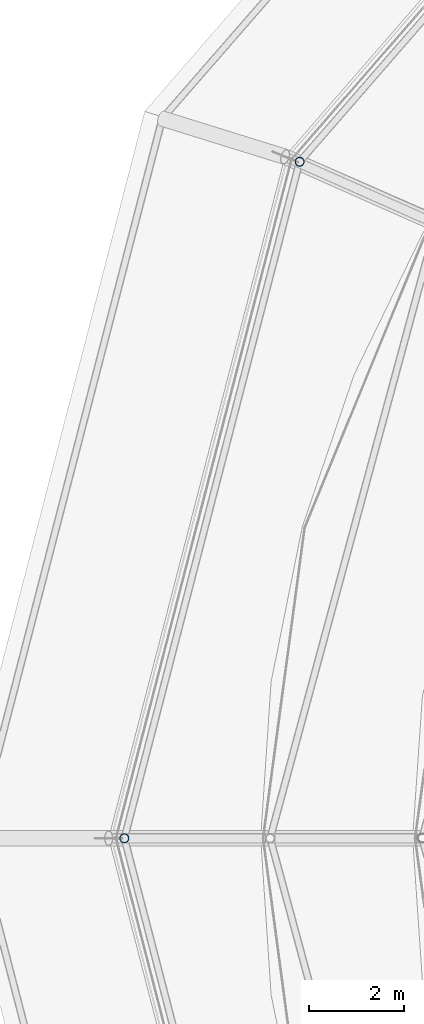
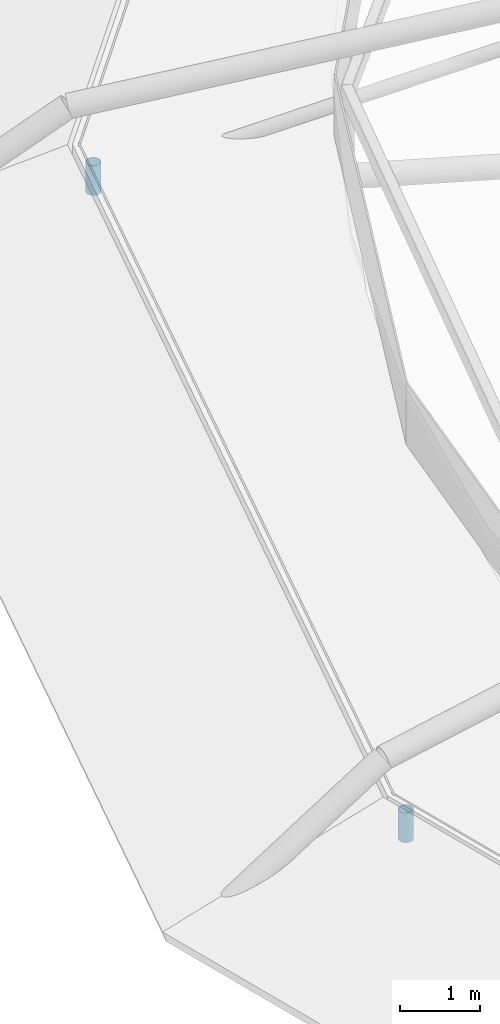
# One storey, part 96 of 134: 2 members.
"""IFC4 building model written with IfcOpenShell, lengths in metres."""

import ifcopenshell
import ifcopenshell.guid

model = None  # the IFC model being written
_history = None  # IfcOwnerHistory: only IFC2X3 demands one
_inside = {}  # id of a spatial element -> (the spatial element, [elements in it])
_under = {}  # id of a project, library or spatial element -> (it, [spatial elements below it])
_declared = {}  # id of a project -> (the project, [libraries it declares])
_typed = {}  # id of a type object -> (the type object, [elements of that type])
_made_of = {}  # id of a material, layer set ... -> (it, [elements and type objects made of it])


def new_model(schema):
    """Start an empty IFC model of exactly this schema.

    Asked for "IFC4X3", IfcOpenShell would pick the latest addendum, in which some entities
    have other attributes; the version numbers below select the first issue.
    IFC2X3 requires an IfcOwnerHistory on every rooted entity: one is made here for all.
    """
    global model, _history
    if schema == "IFC4X3":
        model = ifcopenshell.file(schema_version=(4, 3, 0, 0))
    else:
        model = ifcopenshell.file(schema=schema)
    _inside.clear()
    _under.clear()
    _declared.clear()
    _typed.clear()
    _made_of.clear()
    _history = None
    if model.schema == "IFC2X3":
        org = make("IfcOrganization", Name="unknown")
        user = make(
            "IfcPersonAndOrganization",
            ThePerson=make("IfcPerson", FamilyName="unknown"),
            TheOrganization=org,
        )
        app = make(
            "IfcApplication",
            ApplicationDeveloper=org,
            Version="unknown",
            ApplicationFullName="unknown",
            ApplicationIdentifier="unknown",
        )
        _history = make(
            "IfcOwnerHistory",
            OwningUser=user,
            OwningApplication=app,
            ChangeAction="ADDED",
            CreationDate=0,
        )
    return model


def make(cls, **values):
    """One entity of the class cls with the attributes given. An attribute that is None is left unset."""
    return model.create_entity(
        cls, **{name: value for name, value in values.items() if value is not None}
    )


def rooted(cls, **values):
    """An entity with a GlobalId (a new one), such as an element, a storey or a relation."""
    return make(cls, GlobalId=ifcopenshell.guid.new(), OwnerHistory=_history, **values)


def si_unit(unit_type, name, prefix=None):
    """IfcSIUnit, for example si_unit("LENGTHUNIT", "METRE", prefix="MILLI")."""
    return make("IfcSIUnit", UnitType=unit_type, Prefix=prefix, Name=name)


def derived_unit(unit_type, elements):
    """IfcDerivedUnit: a product of units, each with its exponent."""
    return make(
        "IfcDerivedUnit",
        Elements=[
            make("IfcDerivedUnitElement", Unit=unit, Exponent=power)
            for unit, power in elements
        ],
        UnitType=unit_type,
    )


def assignment(units):
    """IfcUnitAssignment: the units of a project."""
    return None if units is None else make("IfcUnitAssignment", Units=units)


def point(xyz):
    """IfcCartesianPoint."""
    return None if xyz is None else make("IfcCartesianPoint", Coordinates=xyz)


def direction(xyz):
    """IfcDirection."""
    return None if xyz is None else make("IfcDirection", DirectionRatios=xyz)


def frame(location, z_axis=None, x_axis=None):
    """IfcAxis2Placement3D, a coordinate frame: its origin and axes. An axis left out is left unset."""
    return make(
        "IfcAxis2Placement3D",
        Location=point(location),
        Axis=direction(z_axis),
        RefDirection=direction(x_axis),
    )


def frame_2d(location, x_axis=None):
    """IfcAxis2Placement2D, a coordinate frame in the plane: its origin and x axis."""
    return make(
        "IfcAxis2Placement2D", Location=point(location), RefDirection=direction(x_axis)
    )


def origin():
    """The frame at (0, 0, 0) with its axes left unset."""
    return frame((0.0, 0.0, 0.0))


def origin_2d():
    """The frame at (0, 0) in the plane with its x axis left unset."""
    return frame_2d((0.0, 0.0))


def place(relative_to, where):
    """IfcLocalPlacement: puts the frame where relative to a parent placement (None: the world)."""
    return make(
        "IfcLocalPlacement", PlacementRelTo=relative_to, RelativePlacement=where
    )


def context(
    kind, dimensions, precision=None, world=None, true_north=None, identifier=None
):
    """IfcGeometricRepresentationContext, for example the 3D "Model" context."""
    return make(
        "IfcGeometricRepresentationContext",
        ContextIdentifier=identifier,
        ContextType=kind,
        CoordinateSpaceDimension=dimensions,
        Precision=precision,
        WorldCoordinateSystem=world,
        TrueNorth=true_north,
    )


def subcontext(parent, identifier, kind, view, scale=None):
    """IfcGeometricRepresentationSubContext, for example "Body" below "Model"."""
    return make(
        "IfcGeometricRepresentationSubContext",
        ContextIdentifier=identifier,
        ContextType=kind,
        ParentContext=parent,
        TargetScale=scale,
        TargetView=view,
    )


def project(units=None, contexts=None):
    """IfcProject with its units and contexts."""
    return rooted(
        "IfcProject",
        Name="project",
        RepresentationContexts=contexts,
        UnitsInContext=assignment(units),
    )


def spatial(cls, under=None, at=None, **own):
    """A site, building, storey or space (cls), placed at a placement, below another one or the project."""
    s = rooted(cls, ObjectPlacement=at, **own)
    if under is not None:
        _under.setdefault(under.id(), (under, []))[1].append(s)
    return s


def profile(cls, at=None, kind="AREA", **sizes):
    """A parametric profile (cls). Its sizes go by their IFC names, for example OverallWidth=200.0."""
    return make(cls, ProfileType=kind, Position=at, **sizes)


def hollow_circle(**sizes):
    """IfcCircleHollowProfileDef."""
    return profile("IfcCircleHollowProfileDef", **sizes)


def extrude(swept, where, along, depth):
    """IfcExtrudedAreaSolid: the profile swept, set in the frame where, extruded along a direction by depth."""
    return make(
        "IfcExtrudedAreaSolid",
        SweptArea=swept,
        Position=where,
        ExtrudedDirection=direction(along),
        Depth=depth,
    )


def shape(context_of_items, identifier, shape_type, items):
    """IfcShapeRepresentation: the items that make up one representation, for example the "Body"."""
    return make(
        "IfcShapeRepresentation",
        ContextOfItems=context_of_items,
        RepresentationIdentifier=identifier,
        RepresentationType=shape_type,
        Items=items,
    )


def material(Name=None, Category=None):
    """IfcMaterial."""
    return make("IfcMaterial", Name=Name, Category=Category)


def material_profile(
    of_material, cross_section, Name=None, Category=None, Priority=None
):
    """IfcMaterialProfile: a cross section and its material."""
    return make(
        "IfcMaterialProfile",
        Name=Name,
        Material=of_material,
        Profile=cross_section,
        Priority=Priority,
        Category=Category,
    )


def profile_set(profiles, Name=None, composite=None):
    """IfcMaterialProfileSet."""
    return make(
        "IfcMaterialProfileSet",
        Name=Name,
        MaterialProfiles=profiles,
        CompositeProfile=composite,
    )


def made_of(thing, what):
    """Note that an element or type object is made of a material, layer set ...; save() writes the relation."""
    if what is not None:
        _made_of.setdefault(what.id(), (what, []))[1].append(thing)
    return thing


def type_object(cls, material=None, **own):
    """A type object (cls), such as IfcWallType, which elements share."""
    return made_of(rooted(cls, **own), material)


def element(
    cls,
    number,
    at=None,
    inside=None,
    cuts=None,
    type_object=None,
    material=None,
    context=None,
    identifier="Body",
    shape_type=None,
    held_by="IfcProductDefinitionShape",
    body=None,
    shapes=None,
    **own,
):
    """One element of the class cls, such as IfcWall. Its Tag is "e" and its number.

    at: its placement. inside: the storey or other place that contains it. cuts: it is an
    opening in that element (IfcRelVoidsElement). A single representation is given by context,
    identifier, shape_type and body (its items); several are given by shapes. held_by: the class
    of the entity that holds the representations. save() writes the other relations.
    """
    e = rooted(cls, Tag="e%d" % number, ObjectPlacement=at, **own)
    if body is not None:
        shapes = [shape(context, identifier, shape_type, body)]
    if shapes is not None:
        e.Representation = make(held_by, Representations=shapes)
    if inside is not None:
        _inside.setdefault(inside.id(), (inside, []))[1].append(e)
    if cuts is not None:
        rooted(
            "IfcRelVoidsElement", RelatingBuildingElement=cuts, RelatedOpeningElement=e
        )
    if type_object is not None:
        _typed.setdefault(type_object.id(), (type_object, []))[1].append(e)
    return made_of(e, material)


def aggregate(whole, parts):
    """IfcRelAggregates: a whole, such as a stair, and the parts it consists of."""
    return rooted("IfcRelAggregates", RelatingObject=whole, RelatedObjects=parts)


def save(model, path):
    """Write the relations noted so far, then the file.

    IfcRelAggregates (storeys below a building ...), IfcRelContainedInSpatialStructure (elements
    in a storey), IfcRelDefinesByType, IfcRelAssociatesMaterial and IfcRelDeclares: one each for
    every whole, place, type object, material and project.
    """
    for whole, parts in _under.values():
        aggregate(whole, parts)
    for where, things in _inside.values():
        rooted(
            "IfcRelContainedInSpatialStructure",
            RelatedElements=things,
            RelatingStructure=where,
        )
    for kind, things in _typed.values():
        rooted("IfcRelDefinesByType", RelatedObjects=things, RelatingType=kind)
    for what, things in _made_of.values():
        rooted("IfcRelAssociatesMaterial", RelatedObjects=things, RelatingMaterial=what)
    for by, libraries in _declared.values():
        rooted("IfcRelDeclares", RelatingContext=by, RelatedDefinitions=libraries)
    model.write(path)


model = new_model("IFC4")

# Units and contexts
model_context = context("Model", 3, precision=1e-05, world=origin(), true_north=direction((0.0, 1.0)))
body_context = subcontext(model_context, "Body", "Model", "MODEL_VIEW")
ifc_project = project(units=[si_unit("LENGTHUNIT", "METRE"), si_unit("AREAUNIT", "SQUARE_METRE"), si_unit("VOLUMEUNIT", "CUBIC_METRE"), si_unit("PLANEANGLEUNIT", "RADIAN"), si_unit("MASSUNIT", "GRAM", prefix="KILO"), derived_unit("THERMALTRANSMITTANCEUNIT", [(si_unit("MASSUNIT", "GRAM", prefix="KILO"), 1), (si_unit("TIMEUNIT", "SECOND"), -3), (si_unit("THERMODYNAMICTEMPERATUREUNIT", "KELVIN"), -1)])], contexts=[model_context])

# Site, building, storey
site_placement = place(None, origin())
site = spatial("IfcSite", under=ifc_project, at=site_placement, CompositionType="ELEMENT")
building_placement = place(site_placement, origin())
building = spatial("IfcBuilding", under=site, at=building_placement, Name="Kharveza Railside Sports Centre", CompositionType="ELEMENT")
storey_placement = place(building_placement, frame((0.0, 0.0, 12.89990234375)))
storey = spatial("IfcBuildingStorey", under=building, at=storey_placement, Name="L03", CompositionType="ELEMENT", Elevation=12.89990234375)

# Members
ifc_material = material(Name="Steel S355J2", Category="steel")
ifc_material_profile = material_profile(ifc_material, hollow_circle(Radius=0.096923828125, WallThickness=0.010009765625, at=origin_2d()), Name="CHS 193.7x10.0")
ifc_profile_set = profile_set([ifc_material_profile], Name="Steel S355J2")
member_type = type_object("IfcMemberType", Name="MB-ST02", PredefinedType="STRUT", material=ifc_profile_set)
for number, where, z_axis, x_axis, name in (
    (1, (9.819580078125, 64.646240234375, -0.0498046875), (0.0, 0.0, 1.0), (1.0, 0.0, 0.0), "MB-LIDPOST-S1-08"),
    (2, (6.1298828125, 50.39990234375, -0.0498046875), (0.0, 0.0, 1.0), (1.0, 0.0, 0.0), "MB-LIDPOST-S1-09"),
):
    element("IfcMember", number, at=place(storey_placement, frame(where, z_axis=z_axis, x_axis=x_axis)), inside=storey, type_object=member_type, Name=name, PredefinedType="STRUT", context=body_context, shape_type="SweptSolid", body=[
        extrude(hollow_circle(Radius=0.096923828125, WallThickness=0.010009765625, at=origin_2d()), origin(), (0.0, 0.0, 1.0), 0.454833984375),
    ])

save(model, "model.ifc")
